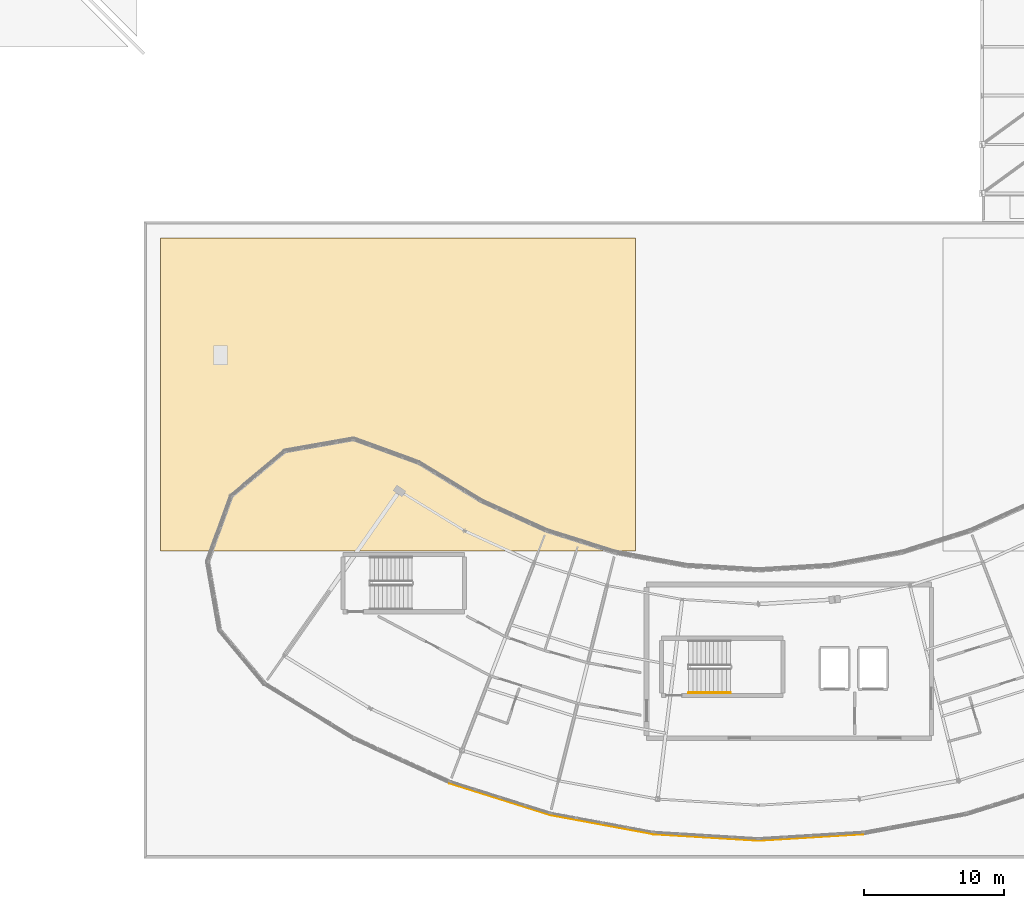
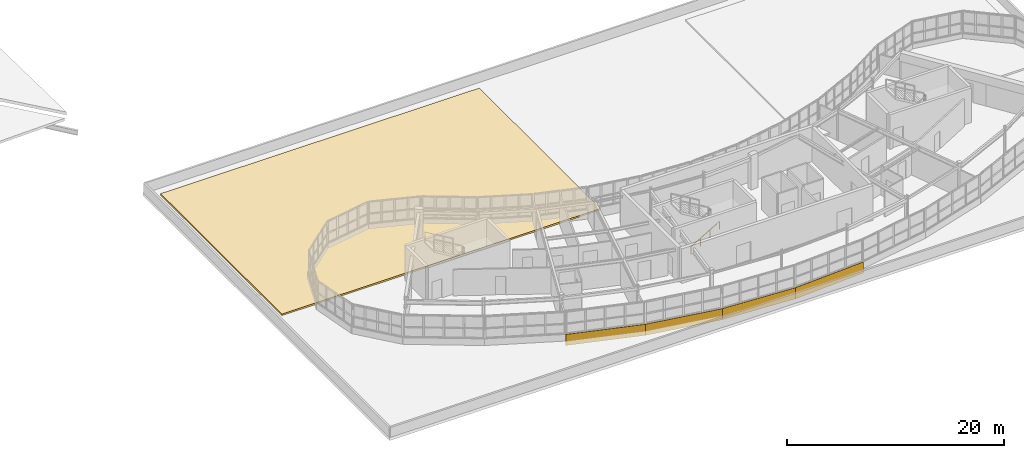
# One storey, part 115 of 128: 5 coverings, 1 railing.
"""IFC4 building model written with IfcOpenShell, lengths in metres."""

import ifcopenshell
import ifcopenshell.guid

model = None  # the IFC model being written
_history = None  # IfcOwnerHistory: only IFC2X3 demands one
_inside = {}  # id of a spatial element -> (the spatial element, [elements in it])
_under = {}  # id of a project, library or spatial element -> (it, [spatial elements below it])
_declared = {}  # id of a project -> (the project, [libraries it declares])
_typed = {}  # id of a type object -> (the type object, [elements of that type])
_made_of = {}  # id of a material, layer set ... -> (it, [elements and type objects made of it])


def new_model(schema):
    """Start an empty IFC model of exactly this schema.

    Asked for "IFC4X3", IfcOpenShell would pick the latest addendum, in which some entities
    have other attributes; the version numbers below select the first issue.
    IFC2X3 requires an IfcOwnerHistory on every rooted entity: one is made here for all.
    """
    global model, _history
    if schema == "IFC4X3":
        model = ifcopenshell.file(schema_version=(4, 3, 0, 0))
    else:
        model = ifcopenshell.file(schema=schema)
    _inside.clear()
    _under.clear()
    _declared.clear()
    _typed.clear()
    _made_of.clear()
    _history = None
    if model.schema == "IFC2X3":
        org = make("IfcOrganization", Name="unknown")
        user = make(
            "IfcPersonAndOrganization",
            ThePerson=make("IfcPerson", FamilyName="unknown"),
            TheOrganization=org,
        )
        app = make(
            "IfcApplication",
            ApplicationDeveloper=org,
            Version="unknown",
            ApplicationFullName="unknown",
            ApplicationIdentifier="unknown",
        )
        _history = make(
            "IfcOwnerHistory",
            OwningUser=user,
            OwningApplication=app,
            ChangeAction="ADDED",
            CreationDate=0,
        )
    return model


def make(cls, **values):
    """One entity of the class cls with the attributes given. An attribute that is None is left unset."""
    return model.create_entity(
        cls, **{name: value for name, value in values.items() if value is not None}
    )


def rooted(cls, **values):
    """An entity with a GlobalId (a new one), such as an element, a storey or a relation."""
    return make(cls, GlobalId=ifcopenshell.guid.new(), OwnerHistory=_history, **values)


def si_unit(unit_type, name, prefix=None):
    """IfcSIUnit, for example si_unit("LENGTHUNIT", "METRE", prefix="MILLI")."""
    return make("IfcSIUnit", UnitType=unit_type, Prefix=prefix, Name=name)


def assignment(units):
    """IfcUnitAssignment: the units of a project."""
    return None if units is None else make("IfcUnitAssignment", Units=units)


def point(xyz):
    """IfcCartesianPoint."""
    return None if xyz is None else make("IfcCartesianPoint", Coordinates=xyz)


def direction(xyz):
    """IfcDirection."""
    return None if xyz is None else make("IfcDirection", DirectionRatios=xyz)


def frame(location, z_axis=None, x_axis=None):
    """IfcAxis2Placement3D, a coordinate frame: its origin and axes. An axis left out is left unset."""
    return make(
        "IfcAxis2Placement3D",
        Location=point(location),
        Axis=direction(z_axis),
        RefDirection=direction(x_axis),
    )


def frame_2d(location, x_axis=None):
    """IfcAxis2Placement2D, a coordinate frame in the plane: its origin and x axis."""
    return make(
        "IfcAxis2Placement2D", Location=point(location), RefDirection=direction(x_axis)
    )


def origin():
    """The frame at (0, 0, 0) with its axes left unset."""
    return frame((0.0, 0.0, 0.0))


def origin_2d():
    """The frame at (0, 0) in the plane with its x axis left unset."""
    return frame_2d((0.0, 0.0))


def place(relative_to, where):
    """IfcLocalPlacement: puts the frame where relative to a parent placement (None: the world)."""
    return make(
        "IfcLocalPlacement", PlacementRelTo=relative_to, RelativePlacement=where
    )


def context(
    kind, dimensions, precision=None, world=None, true_north=None, identifier=None
):
    """IfcGeometricRepresentationContext, for example the 3D "Model" context."""
    return make(
        "IfcGeometricRepresentationContext",
        ContextIdentifier=identifier,
        ContextType=kind,
        CoordinateSpaceDimension=dimensions,
        Precision=precision,
        WorldCoordinateSystem=world,
        TrueNorth=true_north,
    )


def subcontext(parent, identifier, kind, view, scale=None):
    """IfcGeometricRepresentationSubContext, for example "Body" below "Model"."""
    return make(
        "IfcGeometricRepresentationSubContext",
        ContextIdentifier=identifier,
        ContextType=kind,
        ParentContext=parent,
        TargetScale=scale,
        TargetView=view,
    )


def project(units=None, contexts=None):
    """IfcProject with its units and contexts."""
    return rooted(
        "IfcProject",
        Name="project",
        RepresentationContexts=contexts,
        UnitsInContext=assignment(units),
    )


def spatial(cls, under=None, at=None, **own):
    """A site, building, storey or space (cls), placed at a placement, below another one or the project."""
    s = rooted(cls, ObjectPlacement=at, **own)
    if under is not None:
        _under.setdefault(under.id(), (under, []))[1].append(s)
    return s


def profile(cls, at=None, kind="AREA", **sizes):
    """A parametric profile (cls). Its sizes go by their IFC names, for example OverallWidth=200.0."""
    return make(cls, ProfileType=kind, Position=at, **sizes)


def rectangle(**sizes):
    """IfcRectangleProfileDef."""
    return profile("IfcRectangleProfileDef", **sizes)


def circle(**sizes):
    """IfcCircleProfileDef."""
    return profile("IfcCircleProfileDef", **sizes)


def extrude(swept, where, along, depth):
    """IfcExtrudedAreaSolid: the profile swept, set in the frame where, extruded along a direction by depth."""
    return make(
        "IfcExtrudedAreaSolid",
        SweptArea=swept,
        Position=where,
        ExtrudedDirection=direction(along),
        Depth=depth,
    )


def shape(context_of_items, identifier, shape_type, items):
    """IfcShapeRepresentation: the items that make up one representation, for example the "Body"."""
    return make(
        "IfcShapeRepresentation",
        ContextOfItems=context_of_items,
        RepresentationIdentifier=identifier,
        RepresentationType=shape_type,
        Items=items,
    )


def material(Name=None, Category=None):
    """IfcMaterial."""
    return make("IfcMaterial", Name=Name, Category=Category)


def layer(
    of_material, thickness, ventilated=None, Name=None, Category=None, Priority=None
):
    """IfcMaterialLayer: one layer of a wall or slab, of a material (None: an air gap)."""
    return make(
        "IfcMaterialLayer",
        Material=of_material,
        LayerThickness=thickness,
        IsVentilated=ventilated,
        Name=Name,
        Category=Category,
        Priority=Priority,
    )


def layer_set(layers, Name=None):
    """IfcMaterialLayerSet."""
    return make("IfcMaterialLayerSet", MaterialLayers=layers, LayerSetName=Name)


def made_of(thing, what):
    """Note that an element or type object is made of a material, layer set ...; save() writes the relation."""
    if what is not None:
        _made_of.setdefault(what.id(), (what, []))[1].append(thing)
    return thing


def type_object(cls, material=None, **own):
    """A type object (cls), such as IfcWallType, which elements share."""
    return made_of(rooted(cls, **own), material)


def element(
    cls,
    number,
    at=None,
    inside=None,
    cuts=None,
    type_object=None,
    material=None,
    context=None,
    identifier="Body",
    shape_type=None,
    held_by="IfcProductDefinitionShape",
    body=None,
    shapes=None,
    **own,
):
    """One element of the class cls, such as IfcWall. Its Tag is "e" and its number.

    at: its placement. inside: the storey or other place that contains it. cuts: it is an
    opening in that element (IfcRelVoidsElement). A single representation is given by context,
    identifier, shape_type and body (its items); several are given by shapes. held_by: the class
    of the entity that holds the representations. save() writes the other relations.
    """
    e = rooted(cls, Tag="e%d" % number, ObjectPlacement=at, **own)
    if body is not None:
        shapes = [shape(context, identifier, shape_type, body)]
    if shapes is not None:
        e.Representation = make(held_by, Representations=shapes)
    if inside is not None:
        _inside.setdefault(inside.id(), (inside, []))[1].append(e)
    if cuts is not None:
        rooted(
            "IfcRelVoidsElement", RelatingBuildingElement=cuts, RelatedOpeningElement=e
        )
    if type_object is not None:
        _typed.setdefault(type_object.id(), (type_object, []))[1].append(e)
    return made_of(e, material)


def aggregate(whole, parts):
    """IfcRelAggregates: a whole, such as a stair, and the parts it consists of."""
    return rooted("IfcRelAggregates", RelatingObject=whole, RelatedObjects=parts)


def save(model, path):
    """Write the relations noted so far, then the file.

    IfcRelAggregates (storeys below a building ...), IfcRelContainedInSpatialStructure (elements
    in a storey), IfcRelDefinesByType, IfcRelAssociatesMaterial and IfcRelDeclares: one each for
    every whole, place, type object, material and project.
    """
    for whole, parts in _under.values():
        aggregate(whole, parts)
    for where, things in _inside.values():
        rooted(
            "IfcRelContainedInSpatialStructure",
            RelatedElements=things,
            RelatingStructure=where,
        )
    for kind, things in _typed.values():
        rooted("IfcRelDefinesByType", RelatedObjects=things, RelatingType=kind)
    for what, things in _made_of.values():
        rooted("IfcRelAssociatesMaterial", RelatedObjects=things, RelatingMaterial=what)
    for by, libraries in _declared.values():
        rooted("IfcRelDeclares", RelatingContext=by, RelatedDefinitions=libraries)
    model.write(path)


model = new_model("IFC4")

# Units and contexts
model_context = context("Model", 3, precision=1e-05, world=origin(), true_north=direction((0.0, 1.0)))
body_context = subcontext(model_context, "Body", "Model", "MODEL_VIEW")
ifc_project = project(units=[si_unit("LENGTHUNIT", "METRE"), si_unit("AREAUNIT", "SQUARE_METRE"), si_unit("VOLUMEUNIT", "CUBIC_METRE"), si_unit("PLANEANGLEUNIT", "RADIAN"), si_unit("MASSUNIT", "GRAM", prefix="KILO")], contexts=[model_context])

# Site, building, storey
site_placement = place(None, origin())
site = spatial("IfcSite", under=ifc_project, at=site_placement, CompositionType="ELEMENT")
building_placement = place(site_placement, origin())
building = spatial("IfcBuilding", under=site, at=building_placement, Name="Tarnwether General Hospital", CompositionType="ELEMENT")
storey_placement = place(building_placement, frame((0.0, 0.0, 14.39990234375)))
storey = spatial("IfcBuildingStorey", under=building, at=storey_placement, Name="L03", CompositionType="ELEMENT", Elevation=14.39990234375)

# Coverings
ifc_material_1 = material(Name="Streamlined white enamelled aluminium", Category="aluminium")
ifc_layer_1 = layer(ifc_material_1, 0.044921875)
ifc_layer_set_1 = layer_set([ifc_layer_1], Name="Streamlined white enamelled aluminium")
covering_type_1 = type_object("IfcCoveringType", Name="CV-CLD-WHT", PredefinedType="CLADDING", material=ifc_layer_set_1)
for number, where, z_axis, x_axis, name in (
    (1, (73.471923828125, 4.235107421875, -0.1748046875), (0.0, 0.0, 1.0), (-0.953743188648, 0.300622570855, 0.0), "Streamlined White Horizontal Band SE L03 03"),
    (2, (80.77099609375, 2.4150390625, -0.1748046875), (0.0, 0.0, 1.0), (-0.983245364386, 0.182287008349, 0.0), "Streamlined White Horizontal Band SE L03 04"),
    (3, (88.238037109375, 1.498046875, -0.1748046875), (0.0, 0.0, 1.0), (-0.998135863768, 0.061031118787, 0.0), "Streamlined White Horizontal Band SE L03 05"),
    (4, (95.761962890625, 1.498046875, -0.1748046875), (0.0, 0.0, 1.0), (-0.998135863768, -0.061031118787, 0.0), "Streamlined White Horizontal Band SE L03 06"),
):
    element("IfcCovering", number, at=place(storey_placement, frame(where, z_axis=z_axis, x_axis=x_axis)), inside=storey, type_object=covering_type_1, Name=name, PredefinedType="CLADDING", context=body_context, shape_type="SweptSolid", body=[
        extrude(rectangle(XDim=7.52099609375, YDim=0.044921875, at=origin_2d()), origin(), (0.0, 0.0, 1.0), 1.25),
    ])
ifc_material_2 = material(Name="Planted green roof media")
ifc_layer_2 = layer(ifc_material_2, 0.179931640625)
ifc_layer_set_2 = layer_set([ifc_layer_2], Name="Planted green roof media")
covering_type_2 = type_object("IfcCoveringType", Name="CV-RFG-GRN", PredefinedType="ROOFING", material=ifc_layer_set_2)
covering_placement = place(storey_placement, frame((66.199951171875, 33.199951171875, 0.330078125), z_axis=(0.0, 0.0, 1.0), x_axis=(1.0, 0.0, 0.0)))
element("IfcCovering", 5, at=covering_placement, inside=storey, type_object=covering_type_2, Name="Stepped Podium Green Roof Garden CV-POD-S1", PredefinedType="ROOFING", context=body_context, shape_type="SweptSolid", body=[
    extrude(rectangle(XDim=34.0, YDim=22.39990234375, at=origin_2d()), origin(), (0.0, 0.0, 1.0), 0.179931640625),
])

# Railing
ifc_material_3 = material(Name="Anodised aluminium", Category="aluminium")
railing_type = type_object("IfcRailingType", Name="RL-HND-INT", PredefinedType="HANDRAIL", material=ifc_material_3)
railing_placement = place(storey_placement, frame((87.0, 11.85009765625, 0.177490234375)))
element("IfcRailing", 6, at=railing_placement, inside=storey, type_object=railing_type, Name="L03 ST-02 stair handrail 1", PredefinedType="HANDRAIL", context=body_context, shape_type="SweptSolid", body=[
    extrude(circle(Radius=0.02392578125, at=origin_2d()), frame((0.0, 0.0, 0.8759765625), z_axis=(0.86092931783, 0.0, 0.508724591208), x_axis=(0.0, 1.0, 0.0)), (0.0, 0.0, 1.0), 3.484619140625),
    extrude(circle(Radius=0.02099609375, at=origin_2d()), origin(), (0.0, 0.0, 1.0), 0.851806640625),
    extrude(circle(Radius=0.02099609375, at=origin_2d()), frame((1.0, 0.0, 0.5908203125)), (0.0, 0.0, 1.0), 0.851806640625),
    extrude(circle(Radius=0.02099609375, at=origin_2d()), frame((2.0, 0.0, 1.181884765625)), (0.0, 0.0, 1.0), 0.851806640625),
    extrude(circle(Radius=0.02099609375, at=origin_2d()), frame((3.0, 0.0, 1.772705078125)), (0.0, 0.0, 1.0), 0.851806640625),
])

save(model, "model.ifc")
